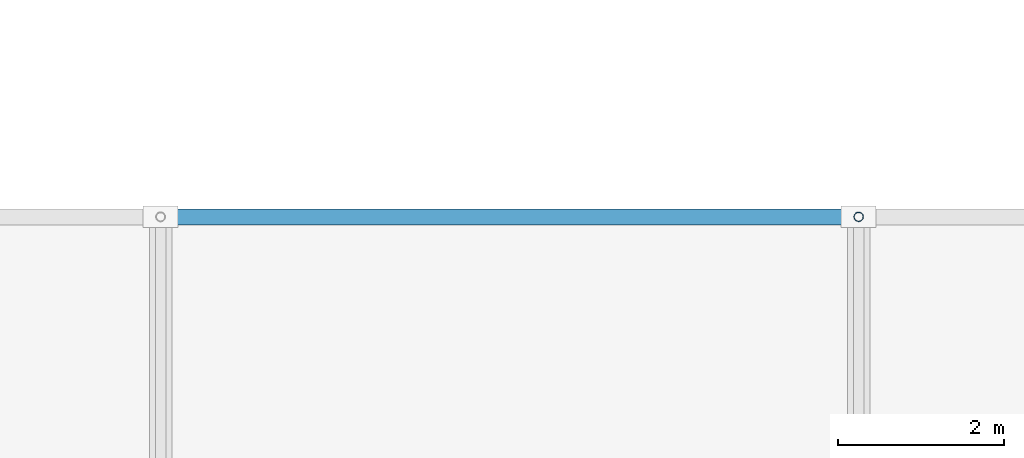
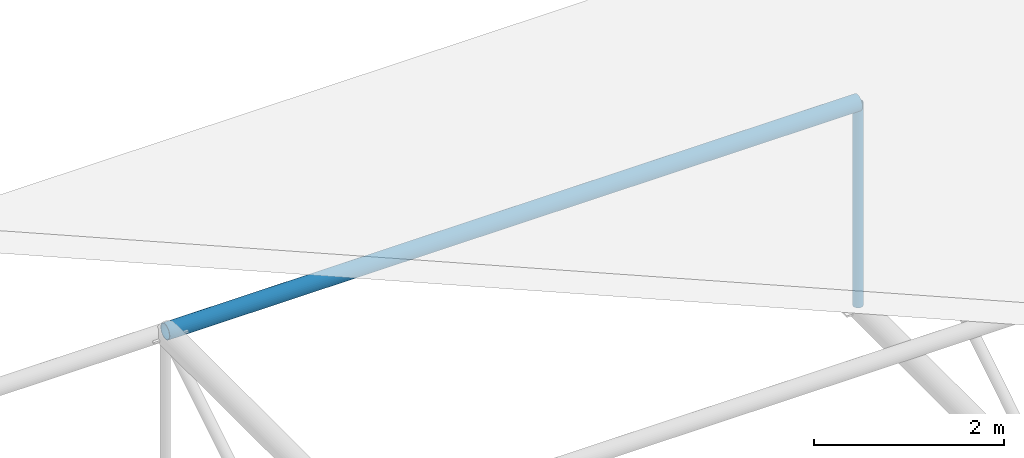
# One storey, part 37 of 140: 2 members.
"""IFC4 building model written with IfcOpenShell, lengths in metres."""

from ifc_helpers import new_model, si_unit, direction, frame, origin, origin_2d, place, context, subcontext, project, spatial, hollow_circle, extrude, material, material_profile, profile_set, type_object, element, save


model = new_model("IFC4")

# Units and contexts
model_context = context("Model", 3, precision=1e-05, world=origin(), true_north=direction((0.0, 1.0)))
body_context = subcontext(model_context, "Body", "Model", "MODEL_VIEW")
ifc_project = project(units=[si_unit("LENGTHUNIT", "METRE"), si_unit("AREAUNIT", "SQUARE_METRE"), si_unit("VOLUMEUNIT", "CUBIC_METRE"), si_unit("PLANEANGLEUNIT", "RADIAN"), si_unit("MASSUNIT", "GRAM", prefix="KILO")], contexts=[model_context])

# Site, building, storey
site_placement = place(None, origin())
site = spatial("IfcSite", under=ifc_project, at=site_placement, CompositionType="ELEMENT")
building_placement = place(site_placement, origin())
building = spatial("IfcBuilding", under=site, at=building_placement, Name="Varnapada Polytechnic", CompositionType="ELEMENT")
storey_placement = place(building_placement, frame((0.0, 0.0, 13.800048828125)))
storey = spatial("IfcBuildingStorey", under=building, at=storey_placement, Name="L03", CompositionType="ELEMENT", Elevation=13.800048828125)

# Members
ifc_material = material(Name="Steel S355", Category="steel")
ifc_material_profile_1 = material_profile(ifc_material, hollow_circle(Radius=0.096923828125, WallThickness=0.00634765625, at=origin_2d()), Name="CHS 193.7x6.3")
ifc_profile_set_1 = profile_set([ifc_material_profile_1], Name="Steel S355")
member_type_1 = type_object("IfcMemberType", Name="Canopy space frame longitudinal chord SFC-03 (CHS 193.7x6.3)", PredefinedType="CHORD", material=ifc_profile_set_1)
member_1_placement = place(storey_placement, frame((92.39990234375, 25.199951171875, -1.35009765625), z_axis=(1.0, 0.0, 0.0), x_axis=(0.0, 1.0, 0.0)))
element("IfcMember", 1, at=member_1_placement, inside=storey, type_object=member_type_1, Name="Entrance canopy longitudinal chord 3.1", PredefinedType="CHORD", context=body_context, shape_type="SweptSolid", body=[
    extrude(hollow_circle(Radius=0.096923828125, WallThickness=0.00634765625, at=origin_2d()), origin(), (0.0, 0.0, 1.0), 8.400146484375),
])
ifc_material_profile_2 = material_profile(ifc_material, hollow_circle(Radius=0.05712890625, WallThickness=0.0048828125, at=origin_2d()), Name="CHS 114.3x5.0")
ifc_profile_set_2 = profile_set([ifc_material_profile_2], Name="Steel S355")
member_type_2 = type_object("IfcMemberType", Name="Canopy space frame web strut SFS-02 (CHS 114.3x5.0)", PredefinedType="STRUT", material=ifc_profile_set_2)
member_2_placement = place(storey_placement, frame((100.800048828125, 25.199951171875, -3.949951171875), z_axis=(0.0, 0.0, 1.0), x_axis=(1.0, 0.0, 0.0)))
element("IfcMember", 2, at=member_2_placement, inside=storey, type_object=member_type_2, Name="Entrance canopy space frame post 4.1", PredefinedType="STRUT", context=body_context, shape_type="SweptSolid", body=[
    extrude(hollow_circle(Radius=0.05712890625, WallThickness=0.0048828125, at=origin_2d()), origin(), (0.0, 0.0, 1.0), 2.599853515625),
])

save(model, "model.ifc")
